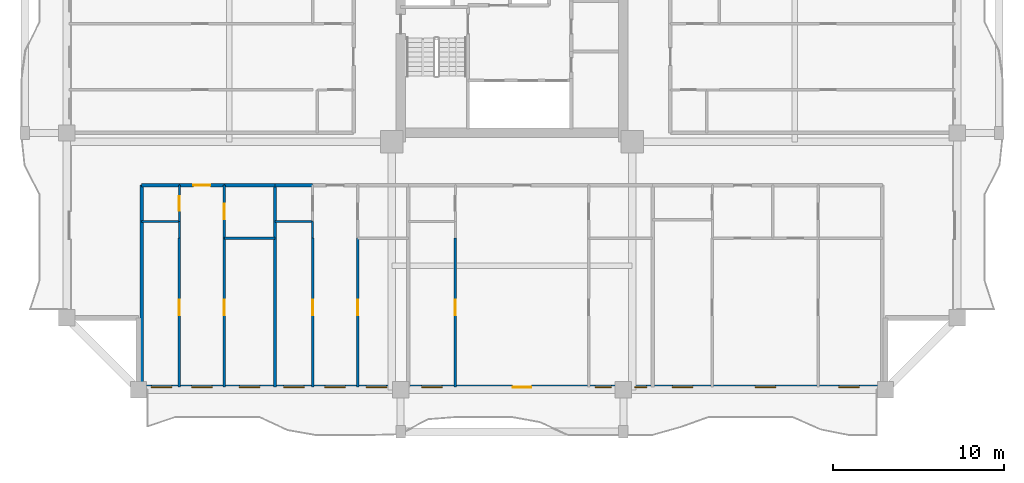
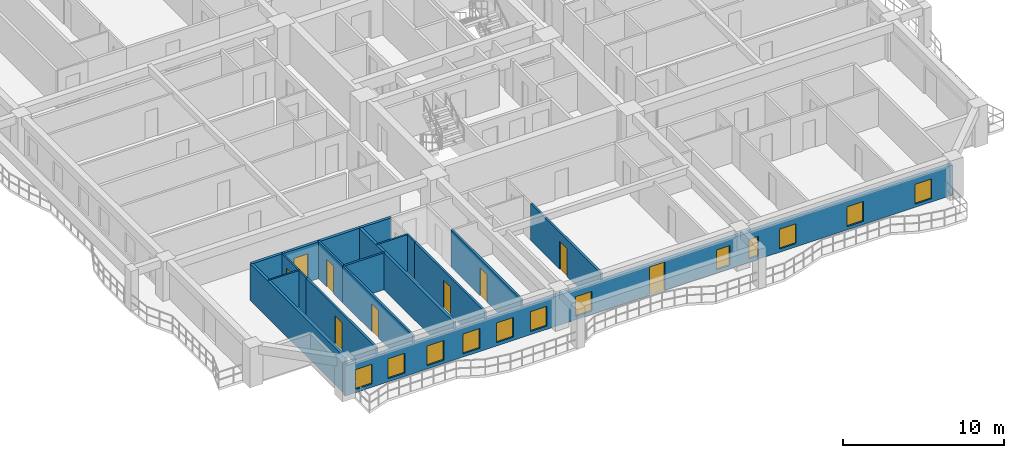
# One storey, part 2 of 15: 19 walls, 12 windows, 9 doors, 21 openings.
"""IFC4 building model written with IfcOpenShell, lengths in metres."""

from ifc_helpers import new_model, si_unit, direction, frame, frame_2d, origin, place, context, subcontext, project, spatial, rectangle, extrude, source, transform, mapped, material, layer, layer_set, type_object, element, fill, save


model = new_model("IFC4")

# Units and contexts
model_context = context("Model", 3, precision=1e-05, world=origin(), true_north=direction((0.0, 1.0)))
body_context = subcontext(model_context, "Body", "Model", "MODEL_VIEW")
ifc_project = project(units=[si_unit("LENGTHUNIT", "METRE"), si_unit("AREAUNIT", "SQUARE_METRE"), si_unit("VOLUMEUNIT", "CUBIC_METRE"), si_unit("PLANEANGLEUNIT", "RADIAN"), si_unit("MASSUNIT", "GRAM", prefix="KILO")], contexts=[model_context])

# Site, building, storey
site_placement = place(None, origin())
site = spatial("IfcSite", under=ifc_project, at=site_placement, CompositionType="ELEMENT")
building_placement = place(site_placement, origin())
building = spatial("IfcBuilding", under=site, at=building_placement, Name="Saelheon Loggia Tower", CompositionType="ELEMENT")
storey_placement = place(building_placement, frame((0.0, 0.0, 77.85009765625)))
storey = spatial("IfcBuildingStorey", under=building, at=storey_placement, Name="L24", CompositionType="ELEMENT", Elevation=77.85009765625)

# Wall, openings, windows, door
ifc_material_1 = material(Name="Architectural Precast Concrete C40/50", Category="concrete")
ifc_layer_1 = layer(ifc_material_1, 0.280029296875)
ifc_layer_set_1 = layer_set([ifc_layer_1], Name="Architectural Precast Concrete C40/50")
wall_type_1 = type_object("IfcWallType", Name="Wall_Ext_Loggia_280", PredefinedType="SOLIDWALL", material=ifc_layer_set_1)
wall_1_placement = place(storey_placement, frame((16.199951171875, 3.139892578125, 0.0), z_axis=(0.0, 0.0, 1.0), x_axis=(1.0, 0.0, 0.0)))
wall_1 = element("IfcWall", 1, at=wall_1_placement, inside=storey, type_object=wall_type_1, Name="L24 South Loggia Inner Wall", PredefinedType="SOLIDWALL", context=body_context, shape_type="SweptSolid", body=[
    extrude(rectangle(XDim=43.60009765625, YDim=0.280029296875, at=frame_2d((21.800048828125, 0.0))), origin(), (0.0, 0.0, 1.0), 2.27978515625),
])
opening_1_placement = place(wall_1_placement, frame((0.74755859375, 0.0, 0.25)))
opening_1 = element("IfcOpeningElement", 2, at=opening_1_placement, cuts=wall_1, Name="Opening WN-03", PredefinedType="OPENING", context=body_context, shape_type="SweptSolid", body=[
    extrude(rectangle(XDim=1.199951171875, YDim=1.5, at=frame_2d((0.60009765625, 0.75))), frame((0.0, 0.152099609375, 0.0), z_axis=(0.0, -1.0, 0.0), x_axis=(1.0, 0.0, 0.0)), (0.0, 0.0, 1.0), 0.303955078125),
])
opening_2_placement = place(wall_1_placement, frame((3.0927734375, 0.0, 0.25)))
opening_2 = element("IfcOpeningElement", 3, at=opening_2_placement, cuts=wall_1, Name="Opening WN-03", PredefinedType="OPENING", context=body_context, shape_type="SweptSolid", body=[
    extrude(rectangle(XDim=1.199951171875, YDim=1.5, at=frame_2d((0.60009765625, 0.75))), frame((0.0, 0.152099609375, 0.0), z_axis=(0.0, -1.0, 0.0), x_axis=(1.0, 0.0, 0.0)), (0.0, 0.0, 1.0), 0.303955078125),
])
opening_3_placement = place(wall_1_placement, frame((5.884521484375, 0.0, 0.25)))
opening_3 = element("IfcOpeningElement", 4, at=opening_3_placement, cuts=wall_1, Name="Opening WN-03", PredefinedType="OPENING", context=body_context, shape_type="SweptSolid", body=[
    extrude(rectangle(XDim=1.199951171875, YDim=1.5, at=frame_2d((0.60009765625, 0.75))), frame((0.0, 0.152099609375, 0.0), z_axis=(0.0, -1.0, 0.0), x_axis=(1.0, 0.0, 0.0)), (0.0, 0.0, 1.0), 0.303955078125),
])
opening_4_placement = place(wall_1_placement, frame((8.463134765625, 0.0, 0.25)))
opening_4 = element("IfcOpeningElement", 5, at=opening_4_placement, cuts=wall_1, Name="Opening WN-03", PredefinedType="OPENING", context=body_context, shape_type="SweptSolid", body=[
    extrude(rectangle(XDim=1.199951171875, YDim=1.5, at=frame_2d((0.60009765625, 0.75))), frame((0.0, 0.152099609375, 0.0), z_axis=(0.0, -1.0, 0.0), x_axis=(1.0, 0.0, 0.0)), (0.0, 0.0, 1.0), 0.303955078125),
])
opening_5_placement = place(wall_1_placement, frame((10.8759765625, 0.0, 0.25)))
opening_5 = element("IfcOpeningElement", 6, at=opening_5_placement, cuts=wall_1, Name="Opening WN-03", PredefinedType="OPENING", context=body_context, shape_type="SweptSolid", body=[
    extrude(rectangle(XDim=1.199951171875, YDim=1.5, at=frame_2d((0.60009765625, 0.75))), frame((0.0, 0.152099609375, 0.0), z_axis=(0.0, -1.0, 0.0), x_axis=(1.0, 0.0, 0.0)), (0.0, 0.0, 1.0), 0.303955078125),
])
opening_6_placement = place(wall_1_placement, frame((13.286865234375, 0.0, 0.25)))
opening_6 = element("IfcOpeningElement", 7, at=opening_6_placement, cuts=wall_1, Name="Opening WN-03", PredefinedType="OPENING", context=body_context, shape_type="SweptSolid", body=[
    extrude(rectangle(XDim=1.199951171875, YDim=1.5, at=frame_2d((0.60009765625, 0.75))), frame((0.0, 0.152099609375, 0.0), z_axis=(0.0, -1.0, 0.0), x_axis=(1.0, 0.0, 0.0)), (0.0, 0.0, 1.0), 0.303955078125),
])
opening_7_placement = place(wall_1_placement, frame((16.521484375, 0.0, 0.25)))
opening_7 = element("IfcOpeningElement", 8, at=opening_7_placement, cuts=wall_1, Name="Opening WN-03", PredefinedType="OPENING", context=body_context, shape_type="SweptSolid", body=[
    extrude(rectangle(XDim=1.199951171875, YDim=1.5, at=frame_2d((0.60009765625, 0.75))), frame((0.0, 0.152099609375, 0.0), z_axis=(0.0, -1.0, 0.0), x_axis=(1.0, 0.0, 0.0)), (0.0, 0.0, 1.0), 0.303955078125),
])
opening_8_placement = place(wall_1_placement, frame((22.938232421875, 0.0, 0.0), z_axis=(0.0, 0.0, 1.0), x_axis=(-1.0, 0.0, 0.0)))
opening_8 = element("IfcOpeningElement", 9, at=opening_8_placement, cuts=wall_1, Name="Opening TD1", PredefinedType="OPENING", context=body_context, shape_type="SweptSolid", body=[
    extrude(rectangle(XDim=1.10009765625, YDim=2.14990234375, at=frame_2d((0.550048828125, 1.074951171875))), frame((0.0, 0.152099609375, 0.0), z_axis=(0.0, -1.0, 0.0), x_axis=(1.0, 0.0, 0.0)), (0.0, 0.0, 1.0), 0.303955078125),
])
opening_9_placement = place(wall_1_placement, frame((26.657470703125, 0.0, 0.25)))
opening_9 = element("IfcOpeningElement", 10, at=opening_9_placement, cuts=wall_1, Name="Opening WN-04", PredefinedType="OPENING", context=body_context, shape_type="SweptSolid", body=[
    extrude(rectangle(XDim=0.949951171875, YDim=1.5, at=frame_2d((0.47509765625, 0.75))), frame((0.0, 0.152099609375, 0.0), z_axis=(0.0, -1.0, 0.0), x_axis=(1.0, 0.0, 0.0)), (0.0, 0.0, 1.0), 0.303955078125),
])
opening_10_placement = place(wall_1_placement, frame((28.96533203125, 0.0, 0.25)))
opening_10 = element("IfcOpeningElement", 11, at=opening_10_placement, cuts=wall_1, Name="Opening WN-06", PredefinedType="OPENING", context=body_context, shape_type="SweptSolid", body=[
    extrude(rectangle(XDim=0.699951171875, YDim=1.5, at=frame_2d((0.35009765625, 0.75))), frame((0.0, 0.152099609375, 0.0), z_axis=(0.0, -1.0, 0.0), x_axis=(1.0, 0.0, 0.0)), (0.0, 0.0, 1.0), 0.303955078125),
])
opening_11_placement = place(wall_1_placement, frame((31.158203125, 0.0, 0.25)))
opening_11 = element("IfcOpeningElement", 12, at=opening_11_placement, cuts=wall_1, Name="Opening WN-03", PredefinedType="OPENING", context=body_context, shape_type="SweptSolid", body=[
    extrude(rectangle(XDim=1.199951171875, YDim=1.5, at=frame_2d((0.60009765625, 0.75))), frame((0.0, 0.152099609375, 0.0), z_axis=(0.0, -1.0, 0.0), x_axis=(1.0, 0.0, 0.0)), (0.0, 0.0, 1.0), 0.303955078125),
])
opening_12_placement = place(wall_1_placement, frame((35.992431640625, 0.0, 0.25)))
opening_12 = element("IfcOpeningElement", 13, at=opening_12_placement, cuts=wall_1, Name="Opening WN-03", PredefinedType="OPENING", context=body_context, shape_type="SweptSolid", body=[
    extrude(rectangle(XDim=1.199951171875, YDim=1.5, at=frame_2d((0.60009765625, 0.75))), frame((0.0, 0.152099609375, 0.0), z_axis=(0.0, -1.0, 0.0), x_axis=(1.0, 0.0, 0.0)), (0.0, 0.0, 1.0), 0.303955078125),
])
opening_13_placement = place(wall_1_placement, frame((40.884765625, 0.0, 0.25)))
opening_13 = element("IfcOpeningElement", 14, at=opening_13_placement, cuts=wall_1, Name="Opening WN-03", PredefinedType="OPENING", context=body_context, shape_type="SweptSolid", body=[
    extrude(rectangle(XDim=1.199951171875, YDim=1.5, at=frame_2d((0.60009765625, 0.75))), frame((0.0, 0.152099609375, 0.0), z_axis=(0.0, -1.0, 0.0), x_axis=(1.0, 0.0, 0.0)), (0.0, 0.0, 1.0), 0.303955078125),
])
ifc_material_2 = material(Name="Thermal-Break Aluminium and Triple Low-E Glass", Category="aluminium")
window_type_1 = type_object("IfcWindowType", Name="Win_Slot_700x1500", PartitioningType="SINGLE_PANEL", PredefinedType="WINDOW", material=ifc_material_2)
shared_shape_1 = source(origin(), body_context, "Body", "SweptSolid", [
    extrude(rectangle(XDim=0.699951171875, YDim=1.5, at=frame_2d((0.35009765625, 0.75))), frame((0.0, 0.030029296875, 0.0), z_axis=(0.0, -1.0, 0.0), x_axis=(1.0, 0.0, 0.0)), (0.0, 0.0, 1.0), 0.06005859375),
])
window_1_placement = place(opening_10_placement, origin())
window_1 = element("IfcWindow", 15, at=window_1_placement, inside=storey, type_object=window_type_1, Name="L24 S Dwelling Window 10", OverallHeight=1.5, OverallWidth=0.699951171875, PartitioningType="SINGLE_PANEL", PredefinedType="WINDOW", context=body_context, shape_type="MappedRepresentation", body=[
    mapped(shared_shape_1, transform((0.0, 0.0, 0.0), scale=1.0)),
])
fill(opening_10, window_1)
window_type_2 = type_object("IfcWindowType", Name="Win_Bedroom_1200x1500", PartitioningType="SINGLE_PANEL", PredefinedType="WINDOW", material=ifc_material_2)
shared_shape_2 = source(origin(), body_context, "Body", "SweptSolid", [
    extrude(rectangle(XDim=1.199951171875, YDim=1.5, at=frame_2d((0.60009765625, 0.75))), frame((0.0, 0.030029296875, 0.0), z_axis=(0.0, -1.0, 0.0), x_axis=(1.0, 0.0, 0.0)), (0.0, 0.0, 1.0), 0.06005859375),
])
window_2_placement = place(opening_1_placement, origin())
window_2 = element("IfcWindow", 16, at=window_2_placement, inside=storey, type_object=window_type_2, Name="L24 S Dwelling Window 1", OverallHeight=1.5, OverallWidth=1.199951171875, PartitioningType="SINGLE_PANEL", PredefinedType="WINDOW", context=body_context, shape_type="MappedRepresentation", body=[
    mapped(shared_shape_2, transform((0.0, 0.0, 0.0), scale=1.0)),
])
fill(opening_1, window_2)
window_3_placement = place(opening_2_placement, origin())
window_3 = element("IfcWindow", 17, at=window_3_placement, inside=storey, type_object=window_type_2, Name="L24 S Dwelling Window 2", OverallHeight=1.5, OverallWidth=1.199951171875, PartitioningType="SINGLE_PANEL", PredefinedType="WINDOW", context=body_context, shape_type="MappedRepresentation", body=[
    mapped(shared_shape_2, transform((0.0, 0.0, 0.0), scale=1.0)),
])
fill(opening_2, window_3)
window_4_placement = place(opening_3_placement, origin())
window_4 = element("IfcWindow", 18, at=window_4_placement, inside=storey, type_object=window_type_2, Name="L24 S Dwelling Window 3", OverallHeight=1.5, OverallWidth=1.199951171875, PartitioningType="SINGLE_PANEL", PredefinedType="WINDOW", context=body_context, shape_type="MappedRepresentation", body=[
    mapped(shared_shape_2, transform((0.0, 0.0, 0.0), scale=1.0)),
])
fill(opening_3, window_4)
window_5_placement = place(opening_4_placement, origin())
window_5 = element("IfcWindow", 19, at=window_5_placement, inside=storey, type_object=window_type_2, Name="L24 S Dwelling Window 4", OverallHeight=1.5, OverallWidth=1.199951171875, PartitioningType="SINGLE_PANEL", PredefinedType="WINDOW", context=body_context, shape_type="MappedRepresentation", body=[
    mapped(shared_shape_2, transform((0.0, 0.0, 0.0), scale=1.0)),
])
fill(opening_4, window_5)
window_6_placement = place(opening_5_placement, origin())
window_6 = element("IfcWindow", 20, at=window_6_placement, inside=storey, type_object=window_type_2, Name="L24 S Dwelling Window 5", OverallHeight=1.5, OverallWidth=1.199951171875, PartitioningType="SINGLE_PANEL", PredefinedType="WINDOW", context=body_context, shape_type="MappedRepresentation", body=[
    mapped(shared_shape_2, transform((0.0, 0.0, 0.0), scale=1.0)),
])
fill(opening_5, window_6)
window_7_placement = place(opening_6_placement, origin())
window_7 = element("IfcWindow", 21, at=window_7_placement, inside=storey, type_object=window_type_2, Name="L24 S Dwelling Window 6", OverallHeight=1.5, OverallWidth=1.199951171875, PartitioningType="SINGLE_PANEL", PredefinedType="WINDOW", context=body_context, shape_type="MappedRepresentation", body=[
    mapped(shared_shape_2, transform((0.0, 0.0, 0.0), scale=1.0)),
])
fill(opening_6, window_7)
window_8_placement = place(opening_7_placement, origin())
window_8 = element("IfcWindow", 22, at=window_8_placement, inside=storey, type_object=window_type_2, Name="L24 S Dwelling Window 7", OverallHeight=1.5, OverallWidth=1.199951171875, PartitioningType="SINGLE_PANEL", PredefinedType="WINDOW", context=body_context, shape_type="MappedRepresentation", body=[
    mapped(shared_shape_2, transform((0.0, 0.0, 0.0), scale=1.0)),
])
fill(opening_7, window_8)
window_9_placement = place(opening_11_placement, origin())
window_9 = element("IfcWindow", 23, at=window_9_placement, inside=storey, type_object=window_type_2, Name="L24 S Dwelling Window 11", OverallHeight=1.5, OverallWidth=1.199951171875, PartitioningType="SINGLE_PANEL", PredefinedType="WINDOW", context=body_context, shape_type="MappedRepresentation", body=[
    mapped(shared_shape_2, transform((0.0, 0.0, 0.0), scale=1.0)),
])
fill(opening_11, window_9)
window_10_placement = place(opening_12_placement, origin())
window_10 = element("IfcWindow", 24, at=window_10_placement, inside=storey, type_object=window_type_2, Name="L24 S Dwelling Window 12", OverallHeight=1.5, OverallWidth=1.199951171875, PartitioningType="SINGLE_PANEL", PredefinedType="WINDOW", context=body_context, shape_type="MappedRepresentation", body=[
    mapped(shared_shape_2, transform((0.0, 0.0, 0.0), scale=1.0)),
])
fill(opening_12, window_10)
window_11_placement = place(opening_13_placement, origin())
window_11 = element("IfcWindow", 25, at=window_11_placement, inside=storey, type_object=window_type_2, Name="L24 S Dwelling Window 13", OverallHeight=1.5, OverallWidth=1.199951171875, PartitioningType="SINGLE_PANEL", PredefinedType="WINDOW", context=body_context, shape_type="MappedRepresentation", body=[
    mapped(shared_shape_2, transform((0.0, 0.0, 0.0), scale=1.0)),
])
fill(opening_13, window_11)
ifc_material_3 = material(Name="Thermal-Break Aluminium Glazed Door", Category="aluminium")
door_type_1 = type_object("IfcDoorType", Name="Door_Terrace_TD1", OperationType="NOTDEFINED", PredefinedType="DOOR", material=ifc_material_3)
shared_shape_3 = source(origin(), body_context, "Body", "SweptSolid", [
    extrude(rectangle(XDim=1.10009765625, YDim=2.14990234375, at=frame_2d((0.550048828125, 1.074951171875))), frame((0.0, 0.02490234375, 0.0), z_axis=(0.0, -1.0, 0.0), x_axis=(1.0, 0.0, 0.0)), (0.0, 0.0, 1.0), 0.050048828125),
])
door_1_placement = place(opening_8_placement, origin())
door_1 = element("IfcDoor", 26, at=door_1_placement, inside=storey, type_object=door_type_1, Name="L24 S Loggia Access Door", OperationType="SINGLE_SWING_RIGHT", OverallHeight=2.14990234375, OverallWidth=1.10009765625, PredefinedType="DOOR", context=body_context, shape_type="MappedRepresentation", body=[
    mapped(shared_shape_3, transform((0.0, 0.0, 0.0), scale=1.0)),
])
fill(opening_8, door_1)
window_type_3 = type_object("IfcWindowType", Name="Win_Narrow_950x1500", PartitioningType="SINGLE_PANEL", PredefinedType="WINDOW", material=ifc_material_2)
shared_shape_4 = source(origin(), body_context, "Body", "SweptSolid", [
    extrude(rectangle(XDim=0.949951171875, YDim=1.5, at=frame_2d((0.47509765625, 0.75))), frame((0.0, 0.030029296875, 0.0), z_axis=(0.0, -1.0, 0.0), x_axis=(1.0, 0.0, 0.0)), (0.0, 0.0, 1.0), 0.06005859375),
])
window_12_placement = place(opening_9_placement, origin())
window_12 = element("IfcWindow", 27, at=window_12_placement, inside=storey, type_object=window_type_3, Name="L24 S Dwelling Window 9", OverallHeight=1.5, OverallWidth=0.949951171875, PartitioningType="SINGLE_PANEL", PredefinedType="WINDOW", context=body_context, shape_type="MappedRepresentation", body=[
    mapped(shared_shape_4, transform((0.0, 0.0, 0.0), scale=1.0)),
])
fill(opening_9, window_12)

# Wall
ifc_material_4 = material(Name="Lightweight Autoclaved Aerated Concrete Block and Acoustic Gypsum", Category="concrete")
ifc_layer_2 = layer(ifc_material_4, 0.14990234375)
ifc_layer_set_2 = layer_set([ifc_layer_2], Name="Lightweight Autoclaved Aerated Concrete Block and Acoustic Gypsum")
wall_type_2 = type_object("IfcWallType", Name="Wall_Part_150", PredefinedType="PARTITIONING", material=ifc_layer_set_2)
wall_2_placement = place(storey_placement, frame((21.20556640625, 11.85009765625, 0.0), z_axis=(0.0, 0.0, 1.0), x_axis=(1.0, 0.0, 0.0)))
element("IfcWall", 28, at=wall_2_placement, inside=storey, type_object=wall_type_2, Name="L24 S Partition V07", PredefinedType="PARTITIONING", context=body_context, shape_type="SweptSolid", body=[
    extrude(rectangle(XDim=2.95751953125, YDim=0.14990234375, at=frame_2d((1.478759765625, 0.0))), origin(), (0.0, 0.0, 1.0), 2.789794921875),
])

# Wall, opening, door
wall_3_placement = place(storey_placement, frame((18.580078125, 11.85009765625, 0.0), z_axis=(0.0, 0.0, 1.0), x_axis=(0.0, -1.0, 0.0)))
wall_3 = element("IfcWall", 29, at=wall_3_placement, inside=storey, type_object=wall_type_2, Name="L24 S Partition U10", PredefinedType="PARTITIONING", context=body_context, shape_type="SweptSolid", body=[
    extrude(rectangle(XDim=8.7001953125, YDim=0.14990234375, at=frame_2d((4.35009765625, 0.0))), origin(), (0.0, 0.0, 1.0), 2.789794921875),
])
opening_14_placement = place(wall_3_placement, frame((3.594970703125, 0.0, 0.0)))
opening_14 = element("IfcOpeningElement", 30, at=opening_14_placement, cuts=wall_3, Name="Opening D-IN2", PredefinedType="OPENING", context=body_context, shape_type="SweptSolid", body=[
    extrude(rectangle(XDim=0.89990234375, YDim=2.10009765625, at=frame_2d((0.449951171875, 1.050048828125))), frame((0.0, 0.0869140625, 0.0), z_axis=(0.0, -1.0, 0.0), x_axis=(1.0, 0.0, 0.0)), (0.0, 0.0, 1.0), 0.173828125),
])
ifc_material_5 = material(Name="Engineered Oak Flush Door", Category="timber")
door_type_2 = type_object("IfcDoorType", Name="Door_Int_900", OperationType="NOTDEFINED", PredefinedType="DOOR", material=ifc_material_5)
shared_shape_5 = source(origin(), body_context, "Body", "SweptSolid", [
    extrude(rectangle(XDim=0.89990234375, YDim=2.10009765625, at=frame_2d((0.449951171875, 1.050048828125))), frame((0.0, 0.02490234375, 0.0), z_axis=(0.0, -1.0, 0.0), x_axis=(1.0, 0.0, 0.0)), (0.0, 0.0, 1.0), 0.050048828125),
])
door_2_placement = place(opening_14_placement, origin())
door_2 = element("IfcDoor", 31, at=door_2_placement, inside=storey, type_object=door_type_2, Name="Unit U01 Kitchen Door", OperationType="SINGLE_SWING_RIGHT", OverallHeight=2.10009765625, OverallWidth=0.89990234375, PredefinedType="DOOR", context=body_context, shape_type="MappedRepresentation", body=[
    mapped(shared_shape_5, transform((0.0, 0.0, 0.0), scale=1.0)),
])
fill(opening_14, door_2)

wall_4_placement = place(storey_placement, frame((21.20556640625, 14.949951171875, 0.0), z_axis=(0.0, 0.0, 1.0), x_axis=(0.0, -1.0, 0.0)))
wall_4 = element("IfcWall", 32, at=wall_4_placement, inside=storey, type_object=wall_type_2, Name="L24 S Partition U11", PredefinedType="PARTITIONING", context=body_context, shape_type="SweptSolid", body=[
    extrude(rectangle(XDim=3.099853515625, YDim=0.14990234375, at=frame_2d((1.5498046875, 0.0))), origin(), (0.0, 0.0, 1.0), 2.789794921875),
])
opening_15_placement = place(wall_4_placement, frame((1.10009765625, 0.0, 0.0)))
opening_15 = element("IfcOpeningElement", 33, at=opening_15_placement, cuts=wall_4, Name="Opening D-IN2", PredefinedType="OPENING", context=body_context, shape_type="SweptSolid", body=[
    extrude(rectangle(XDim=0.89990234375, YDim=2.10009765625, at=frame_2d((0.449951171875, 1.050048828125))), frame((0.0, 0.0869140625, 0.0), z_axis=(0.0, -1.0, 0.0), x_axis=(1.0, 0.0, 0.0)), (0.0, 0.0, 1.0), 0.173828125),
])
door_3_placement = place(opening_15_placement, origin())
door_3 = element("IfcDoor", 34, at=door_3_placement, inside=storey, type_object=door_type_2, Name="Unit U01 Dressing Closet Door", OperationType="SINGLE_SWING_LEFT", OverallHeight=2.10009765625, OverallWidth=0.89990234375, PredefinedType="DOOR", context=body_context, shape_type="MappedRepresentation", body=[
    mapped(shared_shape_5, transform((0.0, 0.0, 0.0), scale=1.0)),
])
fill(opening_15, door_3)

wall_5_placement = place(storey_placement, frame((21.20556640625, 11.85009765625, 0.0), z_axis=(0.0, 0.0, 1.0), x_axis=(0.0, -1.0, 0.0)))
wall_5 = element("IfcWall", 35, at=wall_5_placement, inside=storey, type_object=wall_type_2, Name="L24 S Partition U12", PredefinedType="PARTITIONING", context=body_context, shape_type="SweptSolid", body=[
    extrude(rectangle(XDim=8.7001953125, YDim=0.14990234375, at=frame_2d((4.35009765625, 0.0))), origin(), (0.0, 0.0, 1.0), 2.789794921875),
])
opening_16_placement = place(wall_5_placement, frame((3.594970703125, 0.0, 0.0)))
opening_16 = element("IfcOpeningElement", 36, at=opening_16_placement, cuts=wall_5, Name="Opening D-IN2", PredefinedType="OPENING", context=body_context, shape_type="SweptSolid", body=[
    extrude(rectangle(XDim=0.89990234375, YDim=2.10009765625, at=frame_2d((0.449951171875, 1.050048828125))), frame((0.0, 0.0869140625, 0.0), z_axis=(0.0, -1.0, 0.0), x_axis=(1.0, 0.0, 0.0)), (0.0, 0.0, 1.0), 0.173828125),
])
door_4_placement = place(opening_16_placement, origin())
door_4 = element("IfcDoor", 37, at=door_4_placement, inside=storey, type_object=door_type_2, Name="Unit U01 Bedroom 1 Door", OperationType="SINGLE_SWING_RIGHT", OverallHeight=2.10009765625, OverallWidth=0.89990234375, PredefinedType="DOOR", context=body_context, shape_type="MappedRepresentation", body=[
    mapped(shared_shape_5, transform((0.0, 0.0, 0.0), scale=1.0)),
])
fill(opening_16, door_4)

wall_6_placement = place(storey_placement, frame((26.36328125, 11.85009765625, 0.0), z_axis=(0.0, 0.0, 1.0), x_axis=(0.0, -1.0, 0.0)))
wall_6 = element("IfcWall", 38, at=wall_6_placement, inside=storey, type_object=wall_type_2, Name="L24 S Partition U21", PredefinedType="PARTITIONING", context=body_context, shape_type="SweptSolid", body=[
    extrude(rectangle(XDim=8.7001953125, YDim=0.14990234375, at=frame_2d((4.35009765625, 0.0))), origin(), (0.0, 0.0, 1.0), 2.789794921875),
])
opening_17_placement = place(wall_6_placement, frame((3.594970703125, 0.0, 0.0)))
opening_17 = element("IfcOpeningElement", 39, at=opening_17_placement, cuts=wall_6, Name="Opening D-IN2", PredefinedType="OPENING", context=body_context, shape_type="SweptSolid", body=[
    extrude(rectangle(XDim=0.89990234375, YDim=2.10009765625, at=frame_2d((0.449951171875, 1.050048828125))), frame((0.0, 0.0869140625, 0.0), z_axis=(0.0, -1.0, 0.0), x_axis=(1.0, 0.0, 0.0)), (0.0, 0.0, 1.0), 0.173828125),
])
door_5_placement = place(opening_17_placement, origin())
door_5 = element("IfcDoor", 40, at=door_5_placement, inside=storey, type_object=door_type_2, Name="Unit U02 Kitchen Door", OperationType="SINGLE_SWING_LEFT", OverallHeight=2.10009765625, OverallWidth=0.89990234375, PredefinedType="DOOR", context=body_context, shape_type="MappedRepresentation", body=[
    mapped(shared_shape_5, transform((0.0, 0.0, 0.0), scale=1.0)),
])
fill(opening_17, door_5)

wall_7_placement = place(storey_placement, frame((28.98876953125, 11.85009765625, 0.0), z_axis=(0.0, 0.0, 1.0), x_axis=(0.0, -1.0, 0.0)))
wall_7 = element("IfcWall", 41, at=wall_7_placement, inside=storey, type_object=wall_type_2, Name="L24 S Partition U23", PredefinedType="PARTITIONING", context=body_context, shape_type="SweptSolid", body=[
    extrude(rectangle(XDim=8.7001953125, YDim=0.14990234375, at=frame_2d((4.35009765625, 0.0))), origin(), (0.0, 0.0, 1.0), 2.789794921875),
])
opening_18_placement = place(wall_7_placement, frame((3.594970703125, 0.0, 0.0)))
opening_18 = element("IfcOpeningElement", 42, at=opening_18_placement, cuts=wall_7, Name="Opening D-IN2", PredefinedType="OPENING", context=body_context, shape_type="SweptSolid", body=[
    extrude(rectangle(XDim=0.89990234375, YDim=2.10009765625, at=frame_2d((0.449951171875, 1.050048828125))), frame((0.0, 0.0869140625, 0.0), z_axis=(0.0, -1.0, 0.0), x_axis=(1.0, 0.0, 0.0)), (0.0, 0.0, 1.0), 0.173828125),
])
door_6_placement = place(opening_18_placement, origin())
door_6 = element("IfcDoor", 43, at=door_6_placement, inside=storey, type_object=door_type_2, Name="Unit U02 Bedroom 1 Door", OperationType="SINGLE_SWING_LEFT", OverallHeight=2.10009765625, OverallWidth=0.89990234375, PredefinedType="DOOR", context=body_context, shape_type="MappedRepresentation", body=[
    mapped(shared_shape_5, transform((0.0, 0.0, 0.0), scale=1.0)),
])
fill(opening_18, door_6)

wall_8_placement = place(storey_placement, frame((34.6962890625, 11.85009765625, 0.0), z_axis=(0.0, 0.0, 1.0), x_axis=(0.0, -1.0, 0.0)))
wall_8 = element("IfcWall", 44, at=wall_8_placement, inside=storey, type_object=wall_type_2, Name="L24 S Partition U32", PredefinedType="PARTITIONING", context=body_context, shape_type="SweptSolid", body=[
    extrude(rectangle(XDim=8.7001953125, YDim=0.14990234375, at=frame_2d((4.35009765625, 0.0))), origin(), (0.0, 0.0, 1.0), 2.789794921875),
])
opening_19_placement = place(wall_8_placement, frame((3.594970703125, 0.0, 0.0)))
opening_19 = element("IfcOpeningElement", 45, at=opening_19_placement, cuts=wall_8, Name="Opening D-IN2", PredefinedType="OPENING", context=body_context, shape_type="SweptSolid", body=[
    extrude(rectangle(XDim=0.89990234375, YDim=2.10009765625, at=frame_2d((0.449951171875, 1.050048828125))), frame((0.0, 0.0869140625, 0.0), z_axis=(0.0, -1.0, 0.0), x_axis=(1.0, 0.0, 0.0)), (0.0, 0.0, 1.0), 0.173828125),
])
door_7_placement = place(opening_19_placement, origin())
door_7 = element("IfcDoor", 46, at=door_7_placement, inside=storey, type_object=door_type_2, Name="Unit U03 Kitchen Door", OperationType="SINGLE_SWING_RIGHT", OverallHeight=2.10009765625, OverallWidth=0.89990234375, PredefinedType="DOOR", context=body_context, shape_type="MappedRepresentation", body=[
    mapped(shared_shape_5, transform((0.0, 0.0, 0.0), scale=1.0)),
])
fill(opening_19, door_7)

# Walls
ifc_material_6 = material(Name="Double Acoustic Stud and Fireboard Partition", Category="gypsum")
ifc_layer_3 = layer(ifc_material_6, 0.199951171875)
ifc_layer_set_3 = layer_set([ifc_layer_3], Name="Double Acoustic Stud and Fireboard Partition")
wall_type_3 = type_object("IfcWallType", Name="Wall_Party_200", PredefinedType="PARTITIONING", material=ifc_layer_set_3)
wall_9_placement = place(storey_placement, frame((16.3798828125, 14.949951171875, 0.0), z_axis=(0.0, 0.0, 1.0), x_axis=(0.0, -1.0, 0.0)))
element("IfcWall", 47, at=wall_9_placement, inside=storey, type_object=wall_type_3, Name="L24 S Partition U01", PredefinedType="PARTITIONING", context=body_context, shape_type="SweptSolid", body=[
    extrude(rectangle(XDim=11.800048828125, YDim=0.199951171875, at=frame_2d((5.89990234375, 0.0))), origin(), (0.0, 0.0, 1.0), 2.789794921875),
])
wall_10_placement = place(storey_placement, frame((16.3798828125, 14.949951171875, 0.0), z_axis=(0.0, 0.0, 1.0), x_axis=(1.0, 0.0, 0.0)))
element("IfcWall", 48, at=wall_10_placement, inside=storey, type_object=wall_type_3, Name="L24 S Partition V03", PredefinedType="PARTITIONING", context=body_context, shape_type="SweptSolid", body=[
    extrude(rectangle(XDim=2.2001953125, YDim=0.199951171875, at=frame_2d((1.10009765625, 0.0))), origin(), (0.0, 0.0, 1.0), 2.789794921875),
])

# Wall, opening, door
wall_11_placement = place(storey_placement, frame((18.580078125, 14.949951171875, 0.0), z_axis=(0.0, 0.0, 1.0), x_axis=(1.0, 0.0, 0.0)))
wall_11 = element("IfcWall", 49, at=wall_11_placement, inside=storey, type_object=wall_type_3, Name="L24 S Partition V04", PredefinedType="PARTITIONING", context=body_context, shape_type="SweptSolid", body=[
    extrude(rectangle(XDim=2.62548828125, YDim=0.199951171875, at=frame_2d((1.312744140625, 0.0))), origin(), (0.0, 0.0, 1.0), 2.789794921875),
])
opening_20_placement = place(wall_11_placement, frame((0.812744140625, 0.0, 0.0)))
opening_20 = element("IfcOpeningElement", 50, at=opening_20_placement, cuts=wall_11, Name="Opening D-FD1", PredefinedType="OPENING", context=body_context, shape_type="SweptSolid", body=[
    extrude(rectangle(XDim=1.0, YDim=2.14990234375, at=frame_2d((0.5, 1.074951171875))), frame((0.0, 0.112060546875, 0.0), z_axis=(0.0, -1.0, 0.0), x_axis=(1.0, 0.0, 0.0)), (0.0, 0.0, 1.0), 0.223876953125),
])
ifc_material_7 = material(Name="Fire-Rated Engineered Timber Entrance Door", Category="wood")
door_type_3 = type_object("IfcDoorType", Name="Door_Flat_FD30S", OperationType="NOTDEFINED", PredefinedType="DOOR", material=ifc_material_7)
shared_shape_6 = source(origin(), body_context, "Body", "SweptSolid", [
    extrude(rectangle(XDim=1.0, YDim=2.14990234375, at=frame_2d((0.5, 1.074951171875))), frame((0.0, 0.02490234375, 0.0), z_axis=(0.0, -1.0, 0.0), x_axis=(1.0, 0.0, 0.0)), (0.0, 0.0, 1.0), 0.050048828125),
])
door_8_placement = place(opening_20_placement, origin())
door_8 = element("IfcDoor", 51, at=door_8_placement, inside=storey, type_object=door_type_3, Name="Unit U01 Entrance Door", OperationType="SINGLE_SWING_RIGHT", OverallHeight=2.14990234375, OverallWidth=1.0, PredefinedType="DOOR", context=body_context, shape_type="MappedRepresentation", body=[
    mapped(shared_shape_6, transform((0.0, 0.0, 0.0), scale=1.0)),
])
fill(opening_20, door_8)

# Walls
wall_12_placement = place(storey_placement, frame((21.20556640625, 14.949951171875, 0.0), z_axis=(0.0, 0.0, 1.0), x_axis=(1.0, 0.0, 0.0)))
element("IfcWall", 52, at=wall_12_placement, inside=storey, type_object=wall_type_3, Name="L24 S Partition V05", PredefinedType="PARTITIONING", context=body_context, shape_type="SweptSolid", body=[
    extrude(rectangle(XDim=2.95751953125, YDim=0.199951171875, at=frame_2d((1.478759765625, 0.0))), origin(), (0.0, 0.0, 1.0), 2.789794921875),
])
wall_13_placement = place(storey_placement, frame((24.1630859375, 14.949951171875, 0.0), z_axis=(0.0, 0.0, 1.0), x_axis=(0.0, -1.0, 0.0)))
element("IfcWall", 53, at=wall_13_placement, inside=storey, type_object=wall_type_3, Name="L24 S Partition U13", PredefinedType="PARTITIONING", context=body_context, shape_type="SweptSolid", body=[
    extrude(rectangle(XDim=11.800048828125, YDim=0.199951171875, at=frame_2d((5.89990234375, 0.0))), origin(), (0.0, 0.0, 1.0), 2.789794921875),
])
wall_14_placement = place(storey_placement, frame((24.1630859375, 14.949951171875, 0.0), z_axis=(0.0, 0.0, 1.0), x_axis=(1.0, 0.0, 0.0)))
element("IfcWall", 54, at=wall_14_placement, inside=storey, type_object=wall_type_3, Name="L24 S Partition V14", PredefinedType="PARTITIONING", context=body_context, shape_type="SweptSolid", body=[
    extrude(rectangle(XDim=2.2001953125, YDim=0.199951171875, at=frame_2d((1.10009765625, 0.0))), origin(), (0.0, 0.0, 1.0), 2.789794921875),
])
ifc_material_8 = material(Name="Moisture-Resistant Cement Board Partition", Category="gypsum")
ifc_layer_4 = layer(ifc_material_8, 0.1201171875)
ifc_layer_set_4 = layer_set([ifc_layer_4], Name="Moisture-Resistant Cement Board Partition")
wall_type_4 = type_object("IfcWallType", Name="Wall_WetPart_120", PredefinedType="PARTITIONING", material=ifc_layer_set_4)
wall_15_placement = place(storey_placement, frame((16.3798828125, 12.830078125, 0.0), z_axis=(0.0, 0.0, 1.0), x_axis=(1.0, 0.0, 0.0)))
element("IfcWall", 55, at=wall_15_placement, inside=storey, type_object=wall_type_4, Name="L24 S Partition V06", PredefinedType="PARTITIONING", context=body_context, shape_type="SweptSolid", body=[
    extrude(rectangle(XDim=2.2001953125, YDim=0.1201171875, at=frame_2d((1.10009765625, 0.0))), origin(), (0.0, 0.0, 1.0), 2.789794921875),
])

# Wall, opening, door
wall_16_placement = place(storey_placement, frame((18.580078125, 14.949951171875, 0.0), z_axis=(0.0, 0.0, 1.0), x_axis=(0.0, -1.0, 0.0)))
wall_16 = element("IfcWall", 56, at=wall_16_placement, inside=storey, type_object=wall_type_4, Name="L24 S Partition U08", PredefinedType="PARTITIONING", context=body_context, shape_type="SweptSolid", body=[
    extrude(rectangle(XDim=2.119873046875, YDim=0.1201171875, at=frame_2d((1.06005859375, 0.0))), origin(), (0.0, 0.0, 1.0), 2.789794921875),
])
opening_21_placement = place(wall_16_placement, frame((0.635009765625, 0.0, 0.0)))
opening_21 = element("IfcOpeningElement", 57, at=opening_21_placement, cuts=wall_16, Name="Opening D-BT1", PredefinedType="OPENING", context=body_context, shape_type="SweptSolid", body=[
    extrude(rectangle(XDim=0.85009765625, YDim=2.050048828125, at=frame_2d((0.425048828125, 1.02490234375))), frame((0.0, 0.072021484375, 0.0), z_axis=(0.0, -1.0, 0.0), x_axis=(1.0, 0.0, 0.0)), (0.0, 0.0, 1.0), 0.14404296875),
])
ifc_material_9 = material(Name="Moisture-Resistant Laminate Timber Door", Category="wood")
door_type_4 = type_object("IfcDoorType", Name="Door_Bath_850", OperationType="NOTDEFINED", PredefinedType="DOOR", material=ifc_material_9)
shared_shape_7 = source(origin(), body_context, "Body", "SweptSolid", [
    extrude(rectangle(XDim=0.85009765625, YDim=2.050048828125, at=frame_2d((0.425048828125, 1.02490234375))), frame((0.0, 0.02490234375, 0.0), z_axis=(0.0, -1.0, 0.0), x_axis=(1.0, 0.0, 0.0)), (0.0, 0.0, 1.0), 0.050048828125),
])
door_9_placement = place(opening_21_placement, origin())
door_9 = element("IfcDoor", 58, at=door_9_placement, inside=storey, type_object=door_type_4, Name="Unit U01 Bathroom Door", OperationType="SINGLE_SWING_LEFT", OverallHeight=2.050048828125, OverallWidth=0.85009765625, PredefinedType="DOOR", context=body_context, shape_type="MappedRepresentation", body=[
    mapped(shared_shape_7, transform((0.0, 0.0, 0.0), scale=1.0)),
])
fill(opening_21, door_9)

# Walls
wall_17_placement = place(storey_placement, frame((18.580078125, 12.830078125, 0.0), z_axis=(0.0, 0.0, 1.0), x_axis=(0.0, -1.0, 0.0)))
element("IfcWall", 59, at=wall_17_placement, inside=storey, type_object=wall_type_4, Name="L24 S Partition U09", PredefinedType="PARTITIONING", context=body_context, shape_type="SweptSolid", body=[
    extrude(rectangle(XDim=0.97998046875, YDim=0.1201171875, at=frame_2d((0.489990234375, 0.0))), origin(), (0.0, 0.0, 1.0), 2.789794921875),
])
wall_18_placement = place(storey_placement, frame((24.1630859375, 12.830078125, 0.0), z_axis=(0.0, 0.0, 1.0), x_axis=(1.0, 0.0, 0.0)))
element("IfcWall", 60, at=wall_18_placement, inside=storey, type_object=wall_type_4, Name="L24 S Partition V17", PredefinedType="PARTITIONING", context=body_context, shape_type="SweptSolid", body=[
    extrude(rectangle(XDim=2.2001953125, YDim=0.1201171875, at=frame_2d((1.10009765625, 0.0))), origin(), (0.0, 0.0, 1.0), 2.789794921875),
])
wall_19_placement = place(storey_placement, frame((26.36328125, 12.830078125, 0.0), z_axis=(0.0, 0.0, 1.0), x_axis=(0.0, -1.0, 0.0)))
element("IfcWall", 61, at=wall_19_placement, inside=storey, type_object=wall_type_4, Name="L24 S Partition U20", PredefinedType="PARTITIONING", context=body_context, shape_type="SweptSolid", body=[
    extrude(rectangle(XDim=0.97998046875, YDim=0.1201171875, at=frame_2d((0.489990234375, 0.0))), origin(), (0.0, 0.0, 1.0), 2.789794921875),
])

save(model, "model.ifc")
